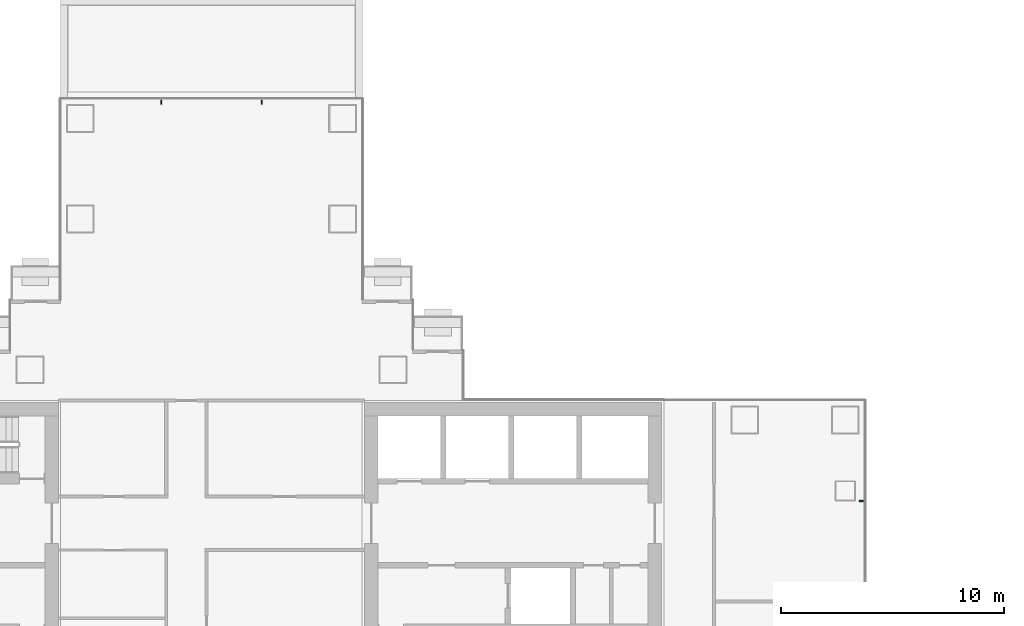
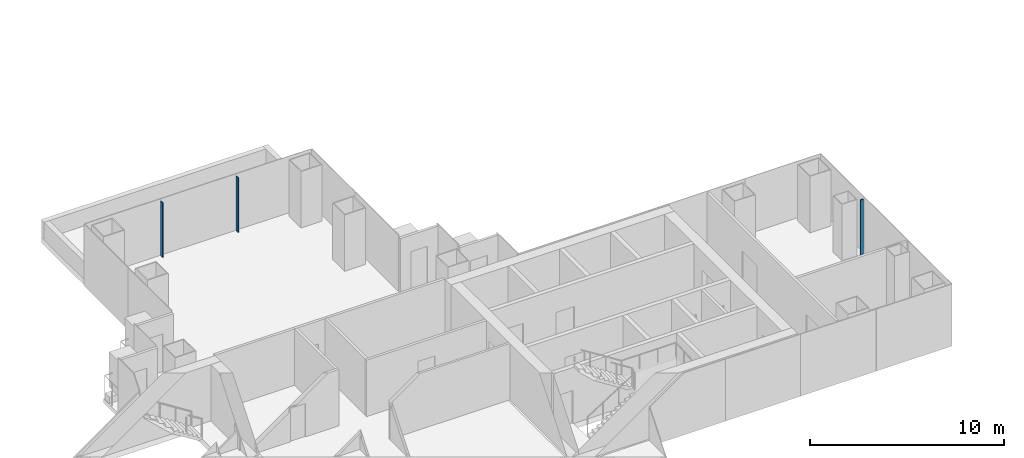
# One storey, part 4 of 20: 3 members, 2 elements without a shape of their own.
"""IFC4 building model written with IfcOpenShell, lengths in metres."""

from ifc_helpers import new_model, si_unit, direction, frame, origin, origin_2d, place, context, subcontext, project, spatial, rectangle, extrude, material, layer, layer_set, material_profile, profile_set, type_object, element, aggregate, save


model = new_model("IFC4")

# Units and contexts
model_context = context("Model", 3, precision=1e-05, world=origin(), true_north=direction((0.0, 1.0)))
body_context = subcontext(model_context, "Body", "Model", "MODEL_VIEW")
ifc_project = project(units=[si_unit("LENGTHUNIT", "METRE"), si_unit("AREAUNIT", "SQUARE_METRE"), si_unit("VOLUMEUNIT", "CUBIC_METRE"), si_unit("PLANEANGLEUNIT", "RADIAN"), si_unit("MASSUNIT", "GRAM", prefix="KILO")], contexts=[model_context])

# Site, building, storey
site_placement = place(None, origin())
site = spatial("IfcSite", under=ifc_project, at=site_placement, CompositionType="ELEMENT")
building_placement = place(site_placement, origin())
building = spatial("IfcBuilding", under=site, at=building_placement, Name="Shamsa Quay Exchange Towers", CompositionType="ELEMENT")
storey_placement = place(building_placement, frame((0.0, 0.0, 81.89990234375)))
storey = spatial("IfcBuildingStorey", under=building, at=storey_placement, Name="L18", CompositionType="ELEMENT", Elevation=81.89990234375)

# Curtain wall, member
ifc_material = material(Name="Aluminium EN AW-6063 T6, black anodised", Category="aluminium")
ifc_layer = layer(ifc_material, 0.280029296875)
ifc_layer_set = layer_set([ifc_layer], Name="CW-1 UNITISED VISION GLASS")
curtain_wall_type = type_object("IfcCurtainWallType", Name="CW-1 UNITISED VISION GLASS", PredefinedType="NOTDEFINED", material=ifc_layer_set)
curtain_wall_1_placement = place(storey_placement, origin())
curtain_wall_1 = element("IfcCurtainWall", 1, at=curtain_wall_1_placement, inside=storey, type_object=curtain_wall_type, Name="CW1 T1-END-U+ L18", PredefinedType="NOTDEFINED")
ifc_material_profile = material_profile(ifc_material, rectangle(XDim=0.179931640625, YDim=0.06005859375, at=origin_2d()), Name="MU60x180")
ifc_profile_set = profile_set([ifc_material_profile], Name="Aluminium EN AW-6063 T6, black anodised")
member_type = type_object("IfcMemberType", Name="CW1 MULLION 60x180", PredefinedType="MULLION", material=ifc_profile_set)
member_1_placement = place(storey_placement, frame((-4.64990234375, 2.25, 0.0), z_axis=(0.0, 0.0, 1.0), x_axis=(-1.0, 0.0, 0.0)))
member_1 = element("IfcMember", 2, at=member_1_placement, type_object=member_type, Name="CW1 mullion", PredefinedType="MULLION", context=body_context, shape_type="SweptSolid", body=[
    extrude(rectangle(XDim=0.179931640625, YDim=0.06005859375, at=origin_2d()), origin(), (0.0, 0.0, 1.0), 3.4501953125),
])
aggregate(curtain_wall_1, [member_1])

# Curtain wall, members
curtain_wall_2_placement = place(storey_placement, origin())
curtain_wall_2 = element("IfcCurtainWall", 3, at=curtain_wall_2_placement, inside=storey, type_object=curtain_wall_type, Name="CW1 T1-END-V+ L18", PredefinedType="NOTDEFINED")
member_2_placement = place(storey_placement, frame((-31.5, 20.10009765625, 0.0), z_axis=(0.0, 0.0, 1.0), x_axis=(0.0, -1.0, 0.0)))
member_2 = element("IfcMember", 4, at=member_2_placement, type_object=member_type, Name="CW1 mullion", PredefinedType="MULLION", context=body_context, shape_type="SweptSolid", body=[
    extrude(rectangle(XDim=0.179931640625, YDim=0.06005859375, at=origin_2d()), origin(), (0.0, 0.0, 1.0), 3.4501953125),
])
member_3_placement = place(storey_placement, frame((-36.0, 20.10009765625, 0.0), z_axis=(0.0, 0.0, 1.0), x_axis=(0.0, -1.0, 0.0)))
member_3 = element("IfcMember", 5, at=member_3_placement, type_object=member_type, Name="CW1 mullion", PredefinedType="MULLION", context=body_context, shape_type="SweptSolid", body=[
    extrude(rectangle(XDim=0.179931640625, YDim=0.06005859375, at=origin_2d()), origin(), (0.0, 0.0, 1.0), 3.4501953125),
])
aggregate(curtain_wall_2, [member_2, member_3])

save(model, "model.ifc")
